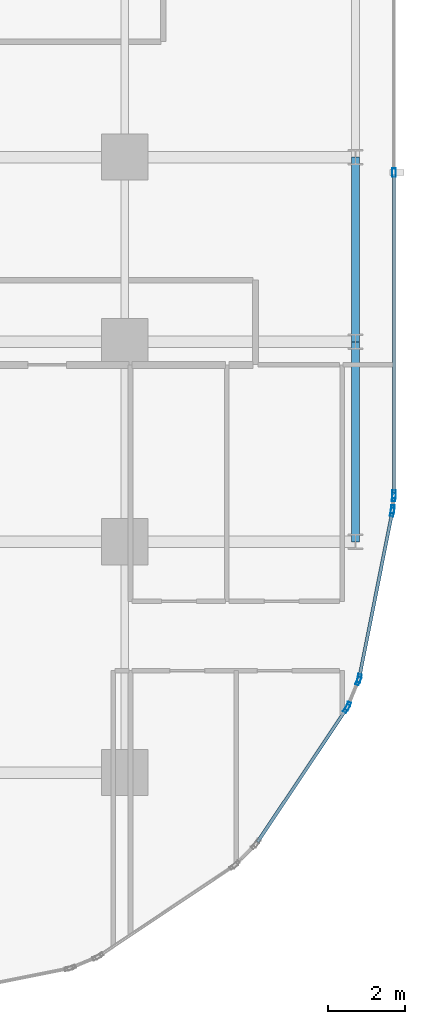
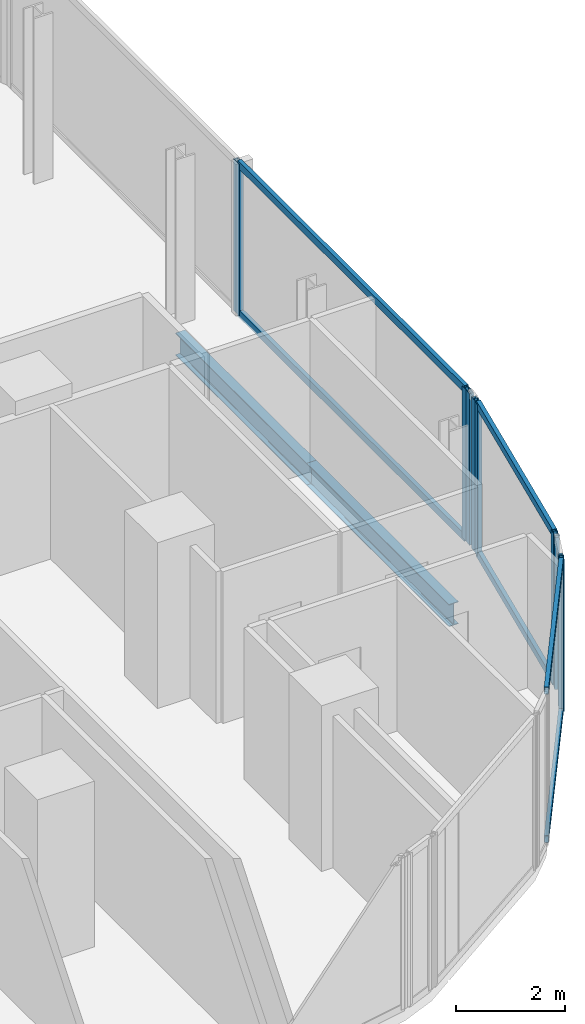
# One storey, part 18 of 34: 15 members, 2 beams, 5 elements without a shape of their own.
"""IFC4 building model written with IfcOpenShell, lengths in metres."""

from ifc_helpers import new_model, si_unit, direction, frame, origin, origin_2d, place, context, subcontext, project, spatial, hollow_rectangle, i_section, extrude, material, layer, layer_set, material_profile, profile_set, type_object, element, aggregate, save


model = new_model("IFC4")

# Units and contexts
model_context = context("Model", 3, precision=1e-05, world=origin(), true_north=direction((0.0, 1.0)))
body_context = subcontext(model_context, "Body", "Model", "MODEL_VIEW")
ifc_project = project(units=[si_unit("LENGTHUNIT", "METRE"), si_unit("AREAUNIT", "SQUARE_METRE"), si_unit("VOLUMEUNIT", "CUBIC_METRE"), si_unit("PLANEANGLEUNIT", "RADIAN"), si_unit("MASSUNIT", "GRAM", prefix="KILO")], contexts=[model_context])

# Site, building, storey
site_placement = place(None, origin())
site = spatial("IfcSite", under=ifc_project, at=site_placement, CompositionType="ELEMENT")
building_placement = place(site_placement, origin())
building = spatial("IfcBuilding", under=site, at=building_placement, Name="Keshet Zoharim Tower", CompositionType="ELEMENT")
storey_placement = place(building_placement, frame((0.0, 0.0, 53.60009765625)))
storey = spatial("IfcBuildingStorey", under=building, at=storey_placement, Name="L12", CompositionType="ELEMENT", Elevation=53.60009765625)

# Beams
ifc_material_1 = material(Name="Steel S355", Category="steel")
ifc_material_profile_1 = material_profile(ifc_material_1, i_section(OverallWidth=0.199951171875, OverallDepth=0.5, WebThickness=0.01025390625, FlangeThickness=0.01611328125, FilletRadius=0.02099609375, at=origin_2d()), Name="IPE500")
ifc_profile_set_1 = profile_set([ifc_material_profile_1], Name="Steel S355")
beam_type = type_object("IfcBeamType", Name="BM-PRI-IP500", PredefinedType="BEAM", material=ifc_profile_set_1)
beam_1_placement = place(storey_placement, frame((69.0, 12.699951171875, -0.565185546875), z_axis=(0.0, 1.0, 0.0), x_axis=(-1.0, 0.0, 0.0)))
element("IfcBeam", 1, at=beam_1_placement, inside=storey, type_object=beam_type, Name="L12 Primary Girder Y-023", PredefinedType="BEAM", context=body_context, shape_type="SweptSolid", body=[
    extrude(i_section(OverallWidth=0.199951171875, OverallDepth=0.5, WebThickness=0.01025390625, FlangeThickness=0.01611328125, FilletRadius=0.02099609375, at=origin_2d()), origin(), (0.0, 0.0, 1.0), 5.199951171875),
])
beam_2_placement = place(storey_placement, frame((69.0, 17.89990234375, -0.565185546875), z_axis=(0.0, 1.0, 0.0), x_axis=(-1.0, 0.0, 0.0)))
element("IfcBeam", 2, at=beam_2_placement, inside=storey, type_object=beam_type, Name="L12 Primary Girder Y-024", PredefinedType="BEAM", context=body_context, shape_type="SweptSolid", body=[
    extrude(i_section(OverallWidth=0.199951171875, OverallDepth=0.5, WebThickness=0.01025390625, FlangeThickness=0.01611328125, FilletRadius=0.02099609375, at=origin_2d()), origin(), (0.0, 0.0, 1.0), 4.800048828125),
])

# Curtain wall, members
ifc_material_2 = material(Name="Aluminium 6063-T6", Category="aluminium")
ifc_layer_1 = layer(ifc_material_2, 0.169921875)
ifc_layer_set_1 = layer_set([ifc_layer_1], Name="Aluminium 6063-T6")
curtain_wall_type_1 = type_object("IfcCurtainWallType", Name="CW-SYS-02", PredefinedType="NOTDEFINED", material=ifc_layer_set_1)
curtain_wall_1_placement = place(storey_placement, origin())
curtain_wall_1 = element("IfcCurtainWall", 3, at=curtain_wall_1_placement, inside=storey, type_object=curtain_wall_type_1, Name="L12 Unitised Curtain Wall 16", PredefinedType="NOTDEFINED")
ifc_material_profile_2 = material_profile(ifc_material_2, hollow_rectangle(XDim=0.090087890625, YDim=0.219970703125, WallThickness=0.0048828125, at=origin_2d()), Name="MUL-90x220")
ifc_profile_set_2 = profile_set([ifc_material_profile_2], Name="Aluminium 6063-T6")
member_type_1 = type_object("IfcMemberType", Name="CWM-M22", PredefinedType="MULLION", material=ifc_profile_set_2)
member_1_placement = place(storey_placement, frame((70.0, 22.298583984375, 0.0), z_axis=(0.0, 0.0, 1.0), x_axis=(1.0, 0.0, 0.0)))
member_1 = element("IfcMember", 4, at=member_1_placement, type_object=member_type_1, Name="CW-02 mullion 2", PredefinedType="MULLION", context=body_context, shape_type="SweptSolid", body=[
    extrude(hollow_rectangle(XDim=0.090087890625, YDim=0.219970703125, WallThickness=0.0048828125, at=origin_2d()), origin(), (0.0, 0.0, 1.0), 3.385009765625),
])
member_2_placement = place(storey_placement, frame((70.0, 13.931884765625, 0.0), z_axis=(0.0, 0.0, 1.0), x_axis=(1.0, 0.0, 0.0)))
member_2 = element("IfcMember", 5, at=member_2_placement, type_object=member_type_1, Name="CW-02 mullion 3", PredefinedType="MULLION", context=body_context, shape_type="SweptSolid", body=[
    extrude(hollow_rectangle(XDim=0.090087890625, YDim=0.219970703125, WallThickness=0.0048828125, at=origin_2d()), origin(), (0.0, 0.0, 1.0), 3.385009765625),
])

curtain_wall_2_placement = place(storey_placement, origin())
curtain_wall_2 = element("IfcCurtainWall", 6, at=curtain_wall_2_placement, inside=storey, type_object=curtain_wall_type_1, Name="L12 Unitised Curtain Wall 17", PredefinedType="NOTDEFINED")
member_3_placement = place(storey_placement, frame((69.99658203125, 13.862060546875, 0.0), z_axis=(0.0, 0.0, 1.0), x_axis=(0.995286657009, -0.096976648633, 0.0)))
member_3 = element("IfcMember", 7, at=member_3_placement, type_object=member_type_1, Name="CW-02 mullion 1", PredefinedType="MULLION", context=body_context, shape_type="SweptSolid", body=[
    extrude(hollow_rectangle(XDim=0.090087890625, YDim=0.219970703125, WallThickness=0.0048828125, at=origin_2d()), origin(), (0.0, 0.0, 1.0), 3.385009765625),
])
member_4_placement = place(storey_placement, frame((69.96533203125, 13.541748046875, 0.0), z_axis=(0.0, 0.0, 1.0), x_axis=(0.995286657009, -0.096976648633, 0.0)))
member_4 = element("IfcMember", 8, at=member_4_placement, type_object=member_type_1, Name="CW-02 mullion 2", PredefinedType="MULLION", context=body_context, shape_type="SweptSolid", body=[
    extrude(hollow_rectangle(XDim=0.090087890625, YDim=0.219970703125, WallThickness=0.0048828125, at=origin_2d()), origin(), (0.0, 0.0, 1.0), 3.385009765625),
])
aggregate(curtain_wall_2, [member_3, member_4])

curtain_wall_3_placement = place(storey_placement, origin())
curtain_wall_3 = element("IfcCurtainWall", 9, at=curtain_wall_3_placement, inside=storey, type_object=curtain_wall_type_1, Name="L12 Unitised Curtain Wall 18", PredefinedType="NOTDEFINED")
member_5_placement = place(storey_placement, frame((69.955078125, 13.47265625, 0.0), z_axis=(0.0, 0.0, 1.0), x_axis=(0.98076917357, -0.195171279072, 0.0)))
member_5 = element("IfcMember", 10, at=member_5_placement, type_object=member_type_1, Name="CW-02 mullion 1", PredefinedType="MULLION", context=body_context, shape_type="SweptSolid", body=[
    extrude(hollow_rectangle(XDim=0.090087890625, YDim=0.219970703125, WallThickness=0.0048828125, at=origin_2d()), origin(), (0.0, 0.0, 1.0), 3.385009765625),
])
member_6_placement = place(storey_placement, frame((69.0947265625, 9.1494140625, 0.0), z_axis=(0.0, 0.0, 1.0), x_axis=(0.98076917357, -0.195171279072, 0.0)))
member_6 = element("IfcMember", 11, at=member_6_placement, type_object=member_type_1, Name="CW-02 mullion 2", PredefinedType="MULLION", context=body_context, shape_type="SweptSolid", body=[
    extrude(hollow_rectangle(XDim=0.090087890625, YDim=0.219970703125, WallThickness=0.0048828125, at=origin_2d()), origin(), (0.0, 0.0, 1.0), 3.385009765625),
])

ifc_layer_2 = layer(ifc_material_2, 0.179931640625)
ifc_layer_set_2 = layer_set([ifc_layer_2], Name="Aluminium 6063-T6")
curtain_wall_type_2 = type_object("IfcCurtainWallType", Name="CW-SYS-01", PredefinedType="NOTDEFINED", material=ifc_layer_set_2)
curtain_wall_4_placement = place(storey_placement, origin())
curtain_wall_4 = element("IfcCurtainWall", 12, at=curtain_wall_4_placement, inside=storey, type_object=curtain_wall_type_2, Name="L12 Unitised Curtain Wall 19", PredefinedType="NOTDEFINED")
member_7_placement = place(storey_placement, frame((69.07470703125, 9.082763671875, 0.0), z_axis=(0.0, 0.0, 1.0), x_axis=(0.923720000557, -0.383068349739, 0.0)))
member_7 = element("IfcMember", 13, at=member_7_placement, type_object=member_type_1, Name="CW-01 mullion 1", PredefinedType="MULLION", context=body_context, shape_type="SweptSolid", body=[
    extrude(hollow_rectangle(XDim=0.090087890625, YDim=0.219970703125, WallThickness=0.0048828125, at=origin_2d()), origin(), (0.0, 0.0, 1.0), 3.385009765625),
])
member_8_placement = place(storey_placement, frame((68.802490234375, 8.42626953125, 0.0), z_axis=(0.0, 0.0, 1.0), x_axis=(0.923720000557, -0.383068349739, 0.0)))
member_8 = element("IfcMember", 14, at=member_8_placement, type_object=member_type_1, Name="CW-01 mullion 2", PredefinedType="MULLION", context=body_context, shape_type="SweptSolid", body=[
    extrude(hollow_rectangle(XDim=0.090087890625, YDim=0.219970703125, WallThickness=0.0048828125, at=origin_2d()), origin(), (0.0, 0.0, 1.0), 3.385009765625),
])
aggregate(curtain_wall_4, [member_7, member_8])

# Curtain wall, member
curtain_wall_5_placement = place(storey_placement, origin())
curtain_wall_5 = element("IfcCurtainWall", 15, at=curtain_wall_5_placement, inside=storey, type_object=curtain_wall_type_2, Name="L12 Unitised Curtain Wall 20", PredefinedType="NOTDEFINED")
member_9_placement = place(storey_placement, frame((68.76953125, 8.364990234375, 0.0), z_axis=(0.0, 0.0, 1.0), x_axis=(0.831474282335, -0.555563243758, 0.0)))
member_9 = element("IfcMember", 16, at=member_9_placement, type_object=member_type_1, Name="CW-01 mullion 1", PredefinedType="MULLION", context=body_context, shape_type="SweptSolid", body=[
    extrude(hollow_rectangle(XDim=0.090087890625, YDim=0.219970703125, WallThickness=0.0048828125, at=origin_2d()), origin(), (0.0, 0.0, 1.0), 3.385009765625),
])

# Member
ifc_material_profile_3 = material_profile(ifc_material_2, hollow_rectangle(XDim=0.0849609375, YDim=0.159912109375, WallThickness=0.00439453125, at=origin_2d()), Name="TRN-85x160")
ifc_profile_set_3 = profile_set([ifc_material_profile_3], Name="Aluminium 6063-T6")
member_type_2 = type_object("IfcMemberType", Name="CWT-T16", PredefinedType="USERDEFINED", material=ifc_profile_set_3)
member_10_placement = place(storey_placement, frame((70.0, 22.263427734375, 0.034912109375), z_axis=(0.0, -1.0, 0.0), x_axis=(1.0, 0.0, 0.0)))
member_10 = element("IfcMember", 17, at=member_10_placement, type_object=member_type_2, Name="CW-02 transom 2.1", ObjectType="TRANSOM", PredefinedType="USERDEFINED", context=body_context, shape_type="SweptSolid", body=[
    extrude(hollow_rectangle(XDim=0.0849609375, YDim=0.159912109375, WallThickness=0.00439453125, at=origin_2d()), origin(), (0.0, 0.0, 1.0), 8.29638671875),
])

member_11_placement = place(storey_placement, frame((70.0, 22.263427734375, 3.349853515625), z_axis=(0.0, -1.0, 0.0), x_axis=(1.0, 0.0, 0.0)))
member_11 = element("IfcMember", 18, at=member_11_placement, type_object=member_type_2, Name="CW-02 transom 2.2", ObjectType="TRANSOM", PredefinedType="USERDEFINED", context=body_context, shape_type="SweptSolid", body=[
    extrude(hollow_rectangle(XDim=0.0849609375, YDim=0.159912109375, WallThickness=0.00439453125, at=origin_2d()), origin(), (0.0, 0.0, 1.0), 8.29638671875),
])

aggregate(curtain_wall_1, [member_1, member_2, member_10, member_11])

member_12_placement = place(storey_placement, frame((69.9482421875, 13.438232421875, 0.034912109375), z_axis=(-0.195174459131, -0.980768540739, 0.0), x_axis=(0.980768540739, -0.195174459131, 0.0)))
member_12 = element("IfcMember", 19, at=member_12_placement, type_object=member_type_2, Name="CW-02 transom 1.1", ObjectType="TRANSOM", PredefinedType="USERDEFINED", context=body_context, shape_type="SweptSolid", body=[
    extrude(hollow_rectangle(XDim=0.0849609375, YDim=0.159912109375, WallThickness=0.00439453125, at=origin_2d()), origin(), (0.0, 0.0, 1.0), 4.338134765625),
])

member_13_placement = place(storey_placement, frame((69.9482421875, 13.438232421875, 3.349853515625), z_axis=(-0.195174459131, -0.980768540739, 0.0), x_axis=(0.980768540739, -0.195174459131, 0.0)))
member_13 = element("IfcMember", 20, at=member_13_placement, type_object=member_type_2, Name="CW-02 transom 1.2", ObjectType="TRANSOM", PredefinedType="USERDEFINED", context=body_context, shape_type="SweptSolid", body=[
    extrude(hollow_rectangle(XDim=0.0849609375, YDim=0.159912109375, WallThickness=0.00439453125, at=origin_2d()), origin(), (0.0, 0.0, 1.0), 4.338134765625),
])

aggregate(curtain_wall_3, [member_5, member_6, member_12, member_13])

member_14_placement = place(storey_placement, frame((68.75, 8.335693359375, 0.034912109375), z_axis=(-0.55555796544, -0.831477809106, 0.0), x_axis=(0.831477809106, -0.55555796544, 0.0)))
member_14 = element("IfcMember", 21, at=member_14_placement, type_object=member_type_2, Name="CW-01 transom 1.1", ObjectType="TRANSOM", PredefinedType="USERDEFINED", context=body_context, shape_type="SweptSolid", body=[
    extrude(hollow_rectangle(XDim=0.0849609375, YDim=0.159912109375, WallThickness=0.00439453125, at=origin_2d()), origin(), (0.0, 0.0, 1.0), 4.136474609375),
])

member_15_placement = place(storey_placement, frame((68.75, 8.335693359375, 3.349853515625), z_axis=(-0.55555796544, -0.831477809106, 0.0), x_axis=(0.831477809106, -0.55555796544, 0.0)))
member_15 = element("IfcMember", 22, at=member_15_placement, type_object=member_type_2, Name="CW-01 transom 1.2", ObjectType="TRANSOM", PredefinedType="USERDEFINED", context=body_context, shape_type="SweptSolid", body=[
    extrude(hollow_rectangle(XDim=0.0849609375, YDim=0.159912109375, WallThickness=0.00439453125, at=origin_2d()), origin(), (0.0, 0.0, 1.0), 4.136474609375),
])

aggregate(curtain_wall_5, [member_9, member_14, member_15])

save(model, "model.ifc")
